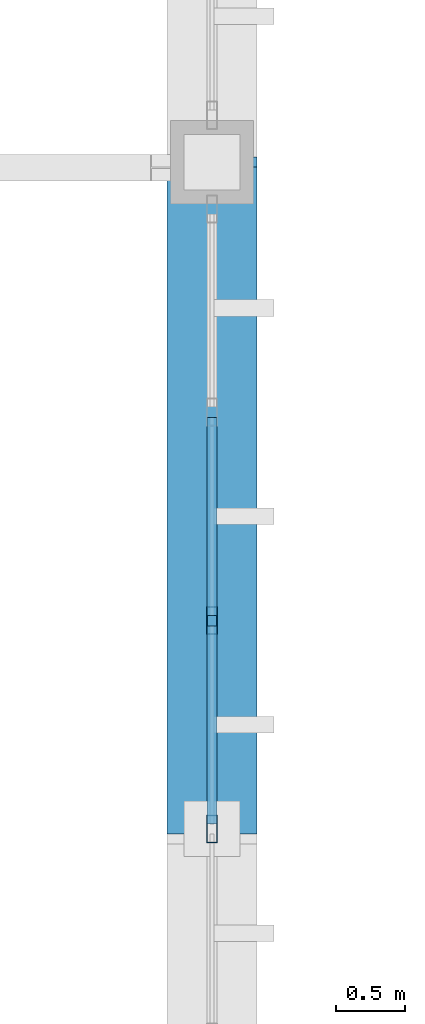
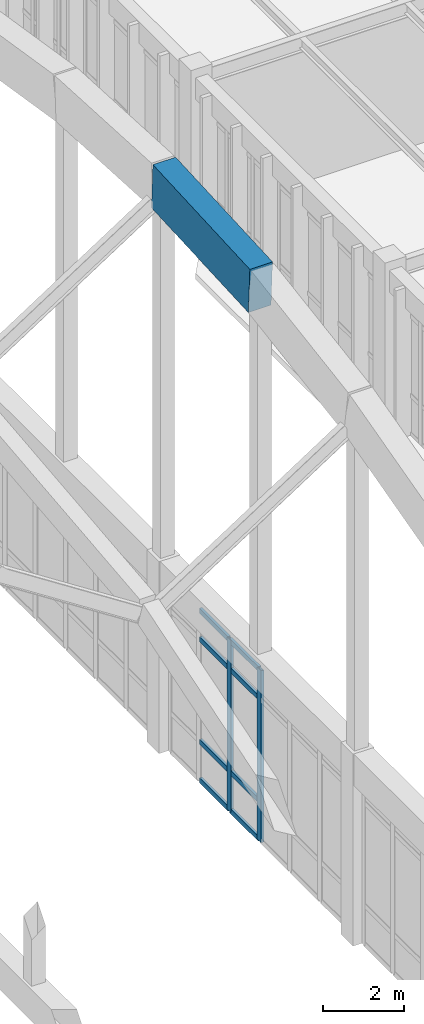
# One storey, part 138 of 236: 11 members, 1 element without a shape of its own.
"""IFC4 building model written with IfcOpenShell, lengths in metres."""

from ifc_helpers import new_model, si_unit, direction, frame, origin, origin_2d, place, context, subcontext, project, spatial, rectangle, hollow_rectangle, extrude, material, layer, layer_set, material_profile, profile_set, type_object, element, aggregate, save


model = new_model("IFC4")

# Units and contexts
model_context = context("Model", 3, precision=1e-05, world=origin(), true_north=direction((0.0, 1.0)))
body_context = subcontext(model_context, "Body", "Model", "MODEL_VIEW")
ifc_project = project(units=[si_unit("LENGTHUNIT", "METRE"), si_unit("AREAUNIT", "SQUARE_METRE"), si_unit("VOLUMEUNIT", "CUBIC_METRE"), si_unit("PLANEANGLEUNIT", "RADIAN"), si_unit("MASSUNIT", "GRAM", prefix="KILO")], contexts=[model_context])

# Site, building, storey
site_placement = place(None, origin())
site = spatial("IfcSite", under=ifc_project, at=site_placement, CompositionType="ELEMENT")
building_placement = place(site_placement, origin())
building = spatial("IfcBuilding", under=site, at=building_placement, Name="Pandanus Reach Market Hall", CompositionType="ELEMENT")
storey_placement = place(building_placement, frame((0.0, 0.0, 5.39990234375)))
storey = spatial("IfcBuildingStorey", under=building, at=storey_placement, Name="L01", CompositionType="ELEMENT", Elevation=5.39990234375)

# Member
ifc_material_1 = material(Name="Concrete N50 (50 MPa)", Category="concrete")
ifc_material_profile_1 = material_profile(ifc_material_1, rectangle(XDim=0.64990234375, YDim=1.35009765625, at=origin_2d()), Name="RC650x1350", Category="LoadBearing")
ifc_profile_set_1 = profile_set([ifc_material_profile_1], Name="Concrete N50 (50 MPa)")
member_type_1 = type_object("IfcMemberType", Name="AR-RC650-E", PredefinedType="CHORD", material=ifc_profile_set_1)
member_1_placement = place(storey_placement, frame((132.0, 52.800048828125, 16.724609375), z_axis=(0.0, 0.998587783012, 0.053126637558), x_axis=(-1.0, 0.0, 0.0)))
element("IfcMember", 1, at=member_1_placement, inside=storey, type_object=member_type_1, Name="Parabolic arch top chord A8.6", PredefinedType="CHORD", context=body_context, shape_type="SweptSolid", body=[
    extrude(rectangle(XDim=0.64990234375, YDim=1.35009765625, at=origin_2d()), origin(), (0.0, 0.0, 1.0), 4.806884765625),
])

# Curtain wall, members
ifc_material_2 = material(Name="Bronze anodised aluminium and low-E glass", Category="aluminium")
ifc_layer = layer(ifc_material_2, 0.199951171875, Name="CW-05")
ifc_layer_set = layer_set([ifc_layer], Name="Bronze anodised aluminium and low-E glass")
curtain_wall_type = type_object("IfcCurtainWallType", Name="CW-05", PredefinedType="NOTDEFINED", material=ifc_layer_set)
curtain_wall_placement = place(storey_placement, origin())
curtain_wall = element("IfcCurtainWall", 2, at=curtain_wall_placement, inside=storey, type_object=curtain_wall_type, Name="Glazed curtain wall CW-05 CW-0027", PredefinedType="NOTDEFINED")
ifc_material_3 = material(Name="Bronze anodised aluminium", Category="aluminium")
ifc_material_profile_2 = material_profile(ifc_material_3, hollow_rectangle(XDim=0.074951171875, YDim=0.199951171875, WallThickness=0.00439453125, at=origin_2d()), Name="ALU75x200", Category="LoadBearing")
ifc_profile_set_2 = profile_set([ifc_material_profile_2], Name="Bronze anodised aluminium")
member_type_2 = type_object("IfcMemberType", Name="CW-M2", PredefinedType="MULLION", material=ifc_profile_set_2)
member_2_placement = place(storey_placement, frame((132.0, 52.800048828125, 0.0), z_axis=(0.0, 0.0, 1.0), x_axis=(-1.0, 0.0, 0.0)))
member_2 = element("IfcMember", 3, at=member_2_placement, type_object=member_type_2, Name="CW-05 mullion 4", PredefinedType="MULLION", context=body_context, shape_type="SweptSolid", body=[
    extrude(hollow_rectangle(XDim=0.074951171875, YDim=0.199951171875, WallThickness=0.00439453125, at=origin_2d()), origin(), (0.0, 0.0, 1.0), 5.2001953125),
])
member_3_placement = place(storey_placement, frame((132.0, 54.300048828125, 0.0), z_axis=(0.0, 0.0, 1.0), x_axis=(-1.0, 0.0, 0.0)))
member_3 = element("IfcMember", 4, at=member_3_placement, type_object=member_type_2, Name="CW-05 mullion 5", PredefinedType="MULLION", context=body_context, shape_type="SweptSolid", body=[
    extrude(hollow_rectangle(XDim=0.074951171875, YDim=0.199951171875, WallThickness=0.00439453125, at=origin_2d()), origin(), (0.0, 0.0, 1.0), 5.2001953125),
])
ifc_material_profile_3 = material_profile(ifc_material_3, hollow_rectangle(XDim=0.074951171875, YDim=0.14990234375, WallThickness=0.00439453125, at=origin_2d()), Name="ALU75x150", Category="LoadBearing")
ifc_profile_set_3 = profile_set([ifc_material_profile_3], Name="Bronze anodised aluminium")
member_type_3 = type_object("IfcMemberType", Name="CW-T2", PredefinedType="USERDEFINED", material=ifc_profile_set_3)
member_4_placement = place(storey_placement, frame((132.0, 52.83740234375, 0.03759765625), z_axis=(0.0, 1.0, 0.0), x_axis=(-1.0, 0.0, 0.0)))
member_4 = element("IfcMember", 5, at=member_4_placement, type_object=member_type_3, Name="CW-05 transom 4.1", ObjectType="TRANSOM", PredefinedType="USERDEFINED", context=body_context, shape_type="SweptSolid", body=[
    extrude(hollow_rectangle(XDim=0.074951171875, YDim=0.14990234375, WallThickness=0.00439453125, at=origin_2d()), origin(), (0.0, 0.0, 1.0), 1.425048828125),
])
member_5_placement = place(storey_placement, frame((132.0, 52.83740234375, 1.2001953125), z_axis=(0.0, 1.0, 0.0), x_axis=(-1.0, 0.0, 0.0)))
member_5 = element("IfcMember", 6, at=member_5_placement, type_object=member_type_3, Name="CW-05 transom 4.2", ObjectType="TRANSOM", PredefinedType="USERDEFINED", context=body_context, shape_type="SweptSolid", body=[
    extrude(hollow_rectangle(XDim=0.074951171875, YDim=0.14990234375, WallThickness=0.00439453125, at=origin_2d()), origin(), (0.0, 0.0, 1.0), 1.425048828125),
])
member_6_placement = place(storey_placement, frame((132.0, 52.83740234375, 4.300048828125), z_axis=(0.0, 1.0, 0.0), x_axis=(-1.0, 0.0, 0.0)))
member_6 = element("IfcMember", 7, at=member_6_placement, type_object=member_type_3, Name="CW-05 transom 4.3", ObjectType="TRANSOM", PredefinedType="USERDEFINED", context=body_context, shape_type="SweptSolid", body=[
    extrude(hollow_rectangle(XDim=0.074951171875, YDim=0.14990234375, WallThickness=0.00439453125, at=origin_2d()), origin(), (0.0, 0.0, 1.0), 1.425048828125),
])
member_7_placement = place(storey_placement, frame((132.0, 52.83740234375, 5.16259765625), z_axis=(0.0, 1.0, 0.0), x_axis=(-1.0, 0.0, 0.0)))
member_7 = element("IfcMember", 8, at=member_7_placement, type_object=member_type_3, Name="CW-05 transom 4.4", ObjectType="TRANSOM", PredefinedType="USERDEFINED", context=body_context, shape_type="SweptSolid", body=[
    extrude(hollow_rectangle(XDim=0.074951171875, YDim=0.14990234375, WallThickness=0.00439453125, at=origin_2d()), origin(), (0.0, 0.0, 1.0), 1.425048828125),
])
member_8_placement = place(storey_placement, frame((132.0, 54.33740234375, 0.03759765625), z_axis=(0.0, 1.0, 0.0), x_axis=(-1.0, 0.0, 0.0)))
member_8 = element("IfcMember", 9, at=member_8_placement, type_object=member_type_3, Name="CW-05 transom 5.1", ObjectType="TRANSOM", PredefinedType="USERDEFINED", context=body_context, shape_type="SweptSolid", body=[
    extrude(hollow_rectangle(XDim=0.074951171875, YDim=0.14990234375, WallThickness=0.00439453125, at=origin_2d()), origin(), (0.0, 0.0, 1.0), 1.425048828125),
])
member_9_placement = place(storey_placement, frame((132.0, 54.33740234375, 1.2001953125), z_axis=(0.0, 1.0, 0.0), x_axis=(-1.0, 0.0, 0.0)))
member_9 = element("IfcMember", 10, at=member_9_placement, type_object=member_type_3, Name="CW-05 transom 5.2", ObjectType="TRANSOM", PredefinedType="USERDEFINED", context=body_context, shape_type="SweptSolid", body=[
    extrude(hollow_rectangle(XDim=0.074951171875, YDim=0.14990234375, WallThickness=0.00439453125, at=origin_2d()), origin(), (0.0, 0.0, 1.0), 1.425048828125),
])
member_10_placement = place(storey_placement, frame((132.0, 54.33740234375, 4.300048828125), z_axis=(0.0, 1.0, 0.0), x_axis=(-1.0, 0.0, 0.0)))
member_10 = element("IfcMember", 11, at=member_10_placement, type_object=member_type_3, Name="CW-05 transom 5.3", ObjectType="TRANSOM", PredefinedType="USERDEFINED", context=body_context, shape_type="SweptSolid", body=[
    extrude(hollow_rectangle(XDim=0.074951171875, YDim=0.14990234375, WallThickness=0.00439453125, at=origin_2d()), origin(), (0.0, 0.0, 1.0), 1.425048828125),
])
member_11_placement = place(storey_placement, frame((132.0, 54.33740234375, 5.16259765625), z_axis=(0.0, 1.0, 0.0), x_axis=(-1.0, 0.0, 0.0)))
member_11 = element("IfcMember", 12, at=member_11_placement, type_object=member_type_3, Name="CW-05 transom 5.4", ObjectType="TRANSOM", PredefinedType="USERDEFINED", context=body_context, shape_type="SweptSolid", body=[
    extrude(hollow_rectangle(XDim=0.074951171875, YDim=0.14990234375, WallThickness=0.00439453125, at=origin_2d()), origin(), (0.0, 0.0, 1.0), 1.425048828125),
])
aggregate(curtain_wall, [member_2, member_3, member_4, member_5, member_6, member_7, member_8, member_9, member_10, member_11])

save(model, "model.ifc")
